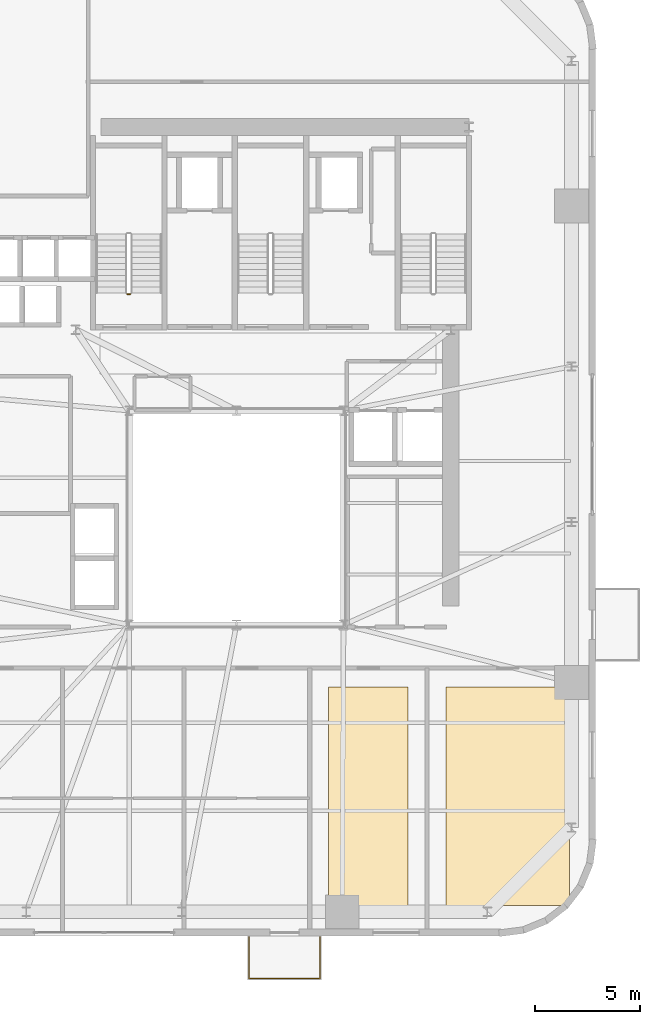
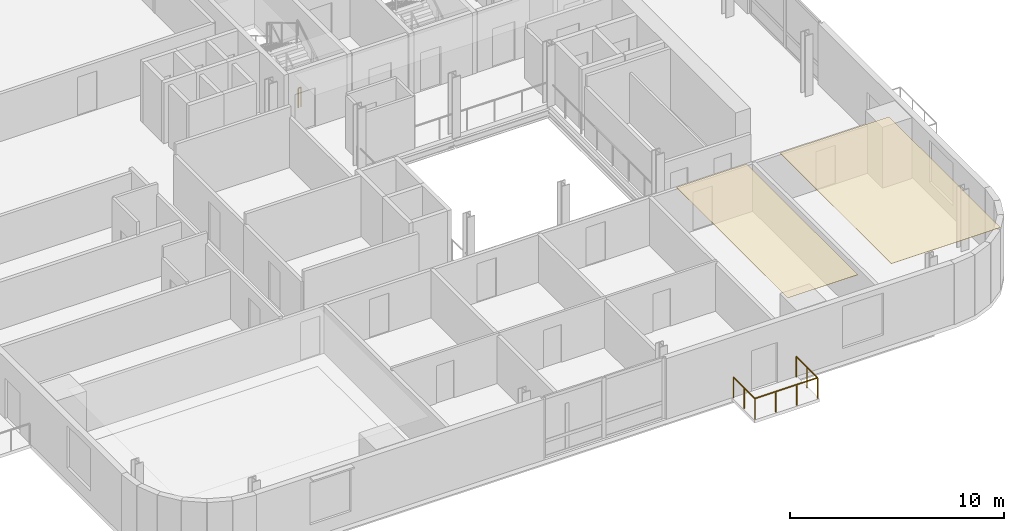
# One storey, part 11 of 14: 2 coverings, 2 railings.
"""IFC4 building model written with IfcOpenShell, lengths in metres."""

from ifc_helpers import new_model, si_unit, direction, frame, origin, origin_2d, place, context, subcontext, project, spatial, polyline, rectangle, outline, extrude, source, transform, mapped, material, layer, layer_set, type_object, element, save


model = new_model("IFC4")

# Units and contexts
model_context = context("Model", 3, precision=1e-05, world=origin(), true_north=direction((0.0, 1.0)))
body_context = subcontext(model_context, "Body", "Model", "MODEL_VIEW")
ifc_project = project(units=[si_unit("LENGTHUNIT", "METRE"), si_unit("AREAUNIT", "SQUARE_METRE"), si_unit("VOLUMEUNIT", "CUBIC_METRE"), si_unit("PLANEANGLEUNIT", "RADIAN"), si_unit("MASSUNIT", "GRAM", prefix="KILO")], contexts=[model_context])

# Site, building, storey
site_placement = place(None, origin())
site = spatial("IfcSite", under=ifc_project, at=site_placement, CompositionType="ELEMENT")
building_placement = place(site_placement, origin())
building = spatial("IfcBuilding", under=site, at=building_placement, Name="Vardaveli Station Tower", CompositionType="ELEMENT")
storey_placement = place(building_placement, frame((0.0, 0.0, 144.60009765625)))
storey = spatial("IfcBuildingStorey", under=building, at=storey_placement, Name="L37", CompositionType="ELEMENT", Elevation=144.60009765625)

# Coverings
ifc_material_1 = material(Name="Perforated acoustic mineral ceiling")
ifc_layer = layer(ifc_material_1, 0.02001953125, Name="Perforated acoustic mineral ceiling")
ifc_layer_set = layer_set([ifc_layer], Name="Perforated acoustic mineral ceiling")
covering_type = type_object("IfcCoveringType", Name="COV-CEIL-AC20", PredefinedType="CEILING", material=ifc_layer_set)
covering_1_placement = place(storey_placement, frame((0.0, 0.0, 3.44482421875)))
element("IfcCovering", 1, at=covering_1_placement, inside=storey, type_object=covering_type, Name="CEIL-L37-2", PredefinedType="CEILING", context=body_context, shape_type="SweptSolid", body=[
    extrude(outline(polyline([(40.689697265625, 3.25), (44.466796875, 3.25), (44.466796875, 13.64990234375), (40.689697265625, 13.64990234375), (40.689697265625, 3.25)])), origin(), (0.0, 0.0, 1.0), 0.02001953125),
])
covering_2_placement = place(storey_placement, frame((0.0, 0.0, 3.44482421875)))
element("IfcCovering", 2, at=covering_2_placement, inside=storey, type_object=covering_type, Name="CEIL-L37-3", PredefinedType="CEILING", context=body_context, shape_type="SweptSolid", body=[
    extrude(outline(polyline([(46.2666015625, 3.25), (52.14990234375, 3.25), (52.14990234375, 13.64990234375), (46.2666015625, 13.64990234375), (46.2666015625, 3.25)])), origin(), (0.0, 0.0, 1.0), 0.02001953125),
])

# Railings
ifc_material_2 = material(Name="Laminated glass and stainless steel balustrade", Category="steel")
railing_type_1 = type_object("IfcRailingType", Name="RL-BAL-1200", PredefinedType="BALUSTRADE", material=ifc_material_2)
shared_shape_1 = source(origin(), body_context, "Body", "SweptSolid", [
    extrude(rectangle(XDim=0.048095703125, YDim=0.048095703125, at=origin_2d()), frame((0.0, 0.0, 1.17578125), z_axis=(0.0, -1.0, 0.0), x_axis=(1.0, 0.0, 0.0)), (0.0, 0.0, 1.0), 2.0),
    extrude(rectangle(XDim=0.048095703125, YDim=0.048095703125, at=origin_2d()), frame((0.0, -2.0, 1.17578125), z_axis=(1.0, 0.0, 0.0), x_axis=(0.0, 1.0, 0.0)), (0.0, 0.0, 1.0), 3.3798828125),
    extrude(rectangle(XDim=0.048095703125, YDim=0.048095703125, at=origin_2d()), frame((3.3798828125, -2.0, 1.17578125), z_axis=(0.0, 1.0, 0.0), x_axis=(-1.0, 0.0, 0.0)), (0.0, 0.0, 1.0), 2.0),
    extrude(rectangle(XDim=0.0419921875, YDim=0.0419921875, at=origin_2d()), origin(), (0.0, 0.0, 1.0), 1.15185546875),
    extrude(rectangle(XDim=0.0419921875, YDim=0.0419921875, at=origin_2d()), frame((0.0, -1.0, 0.0)), (0.0, 0.0, 1.0), 1.15185546875),
    extrude(rectangle(XDim=0.0419921875, YDim=0.0419921875, at=origin_2d()), frame((0.0, -2.0, 0.0)), (0.0, 0.0, 1.0), 1.15185546875),
    extrude(rectangle(XDim=0.0419921875, YDim=0.0419921875, at=origin_2d()), frame((1.126708984375, -2.0, 0.0)), (0.0, 0.0, 1.0), 1.15185546875),
    extrude(rectangle(XDim=0.0419921875, YDim=0.0419921875, at=origin_2d()), frame((2.253173828125, -2.0, 0.0)), (0.0, 0.0, 1.0), 1.15185546875),
    extrude(rectangle(XDim=0.0419921875, YDim=0.0419921875, at=origin_2d()), frame((3.3798828125, -2.0, 0.0)), (0.0, 0.0, 1.0), 1.15185546875),
    extrude(rectangle(XDim=0.0419921875, YDim=0.0419921875, at=origin_2d()), frame((3.3798828125, -1.0, 0.0)), (0.0, 0.0, 1.0), 1.15185546875),
    extrude(rectangle(XDim=0.0419921875, YDim=0.0419921875, at=origin_2d()), frame((3.3798828125, 0.0, 0.0)), (0.0, 0.0, 1.0), 1.15185546875),
])
railing_1_placement = place(storey_placement, frame((36.899658203125, 1.760009765625, 0.0)))
element("IfcRailing", 3, at=railing_1_placement, inside=storey, type_object=railing_type_1, Name="RL-LOG-L37-01", PredefinedType="BALUSTRADE", context=body_context, shape_type="MappedRepresentation", body=[
    mapped(shared_shape_1, transform((0.0, 0.0, 0.0), scale=1.0)),
])
ifc_material_3 = material(Name="Brushed AISI 316 stainless steel", Category="steel")
railing_type_2 = type_object("IfcRailingType", Name="RL-GUARD-1150", PredefinedType="GUARDRAIL", material=ifc_material_3)
shared_shape_2 = source(origin(), body_context, "Body", "SweptSolid", [
    extrude(rectangle(XDim=0.048095703125, YDim=0.048095703125, at=origin_2d()), frame((0.0, 0.0, 1.1259765625), z_axis=(-1.0, 0.0, 0.0), x_axis=(0.0, -1.0, 0.0)), (0.0, 0.0, 1.0), 0.14990234375),
    extrude(rectangle(XDim=0.0419921875, YDim=0.0419921875, at=origin_2d()), origin(), (0.0, 0.0, 1.0), 1.101806640625),
    extrude(rectangle(XDim=0.0419921875, YDim=0.0419921875, at=origin_2d()), frame((-0.14990234375, 0.0, 0.0)), (0.0, 0.0, 1.0), 1.101806640625),
])
railing_2_placement = place(storey_placement, frame((31.25, 32.35009765625, 0.0)))
element("IfcRailing", 4, at=railing_2_placement, inside=storey, type_object=railing_type_2, Name="L37 ST-1 stair guard 4", PredefinedType="GUARDRAIL", context=body_context, shape_type="MappedRepresentation", body=[
    mapped(shared_shape_2, transform((0.0, 0.0, 0.0), scale=1.0)),
])

save(model, "model.ifc")
